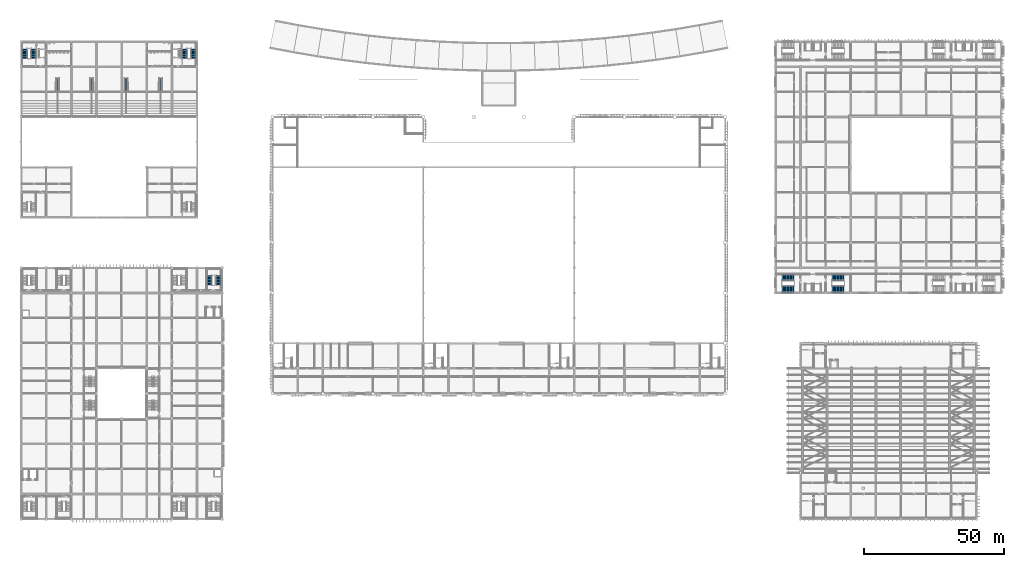
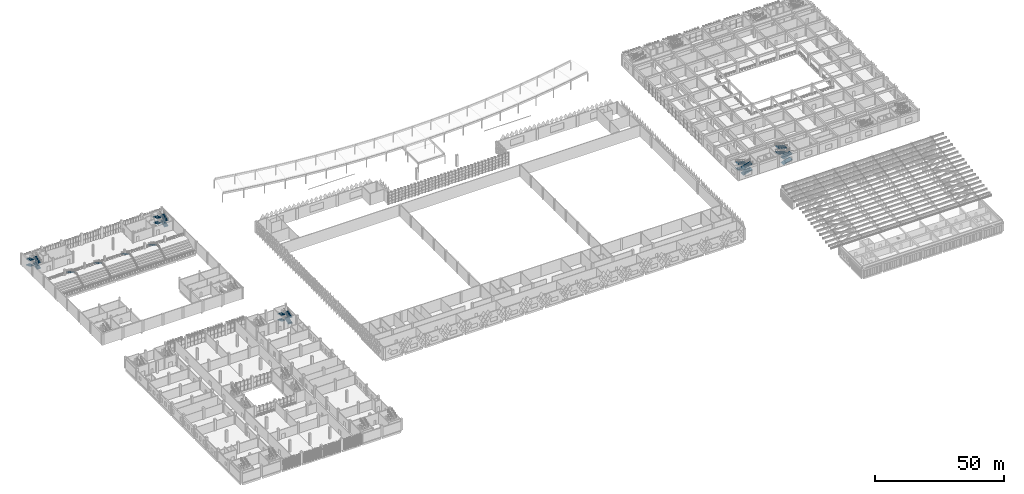
# One storey, part 132 of 185: 24 stair flights, 9 elements without a shape of their own.
"""IFC4 building model written with IfcOpenShell, lengths in metres."""

from ifc_helpers import new_model, si_unit, direction, frame, origin, place, context, subcontext, project, spatial, polyline, outline, extrude, material, type_object, element, aggregate, save


model = new_model("IFC4")

# Units and contexts
model_context = context("Model", 3, precision=1e-05, world=origin(), true_north=direction((0.0, 1.0)))
body_context = subcontext(model_context, "Body", "Model", "MODEL_VIEW")
ifc_project = project(units=[si_unit("LENGTHUNIT", "METRE"), si_unit("AREAUNIT", "SQUARE_METRE"), si_unit("VOLUMEUNIT", "CUBIC_METRE"), si_unit("PLANEANGLEUNIT", "RADIAN"), si_unit("MASSUNIT", "GRAM", prefix="KILO")], contexts=[model_context])

# Site, building, storey
site_placement = place(None, origin())
site = spatial("IfcSite", under=ifc_project, at=site_placement, CompositionType="ELEMENT")
building_placement = place(site_placement, origin())
building = spatial("IfcBuilding", under=site, at=building_placement, Name="Opaline Strait Convention Centre", CompositionType="ELEMENT")
storey_placement = place(building_placement, frame((0.0, 0.0, 6.0)))
storey = spatial("IfcBuildingStorey", under=building, at=storey_placement, Name="L01", CompositionType="ELEMENT", Elevation=6.0)

# Stair, stair flights
ifc_material = material(Name="Concrete C40", Category="concrete")
stair_type_1 = type_object("IfcStairType", Name="Core stair half turn 2400", PredefinedType="HALF_TURN_STAIR", material=ifc_material)
stair_1_placement = place(storey_placement, origin())
stair_1 = element("IfcStair", 1, at=stair_1_placement, inside=storey, type_object=stair_type_1, Name="L01 NW core stair", ObjectType="PST2", PredefinedType="HALF_TURN_STAIR")
stair_flight_type_1 = type_object("IfcStairFlightType", Name="Core stair flight 2400 precast", PredefinedType="STRAIGHT", material=ifc_material)
stair_flight_1_placement = place(storey_placement, frame((13.449951171875, 173.949951171875, 0.0), z_axis=(0.0, 0.0, 1.0), x_axis=(0.0, 1.0, 0.0)))
stair_flight_1 = element("IfcStairFlight", 2, at=stair_flight_1_placement, type_object=stair_flight_type_1, Name="PSR3 flight 1", ObjectType="PSF2", NumberOfRisers=9, NumberOfTreads=8, PredefinedType="STRAIGHT", RiserHeight=0.152777778, TreadLength=0.42, context=body_context, shape_type="SweptSolid", body=[
    extrude(outline(polyline([(0.0, 0.0), (0.0, 0.15283203125), (0.419921875, 0.15283203125), (0.419921875, 0.3056640625), (0.840087890625, 0.3056640625), (0.840087890625, 0.458251953125), (1.260009765625, 0.458251953125), (1.260009765625, 0.611083984375), (1.679931640625, 0.611083984375), (1.679931640625, 0.763916015625), (2.10009765625, 0.763916015625), (2.10009765625, 0.916748046875), (2.52001953125, 0.916748046875), (2.52001953125, 1.0693359375), (2.93994140625, 1.0693359375), (2.93994140625, 1.22216796875), (3.360107421875, 1.22216796875), (3.360107421875, 1.375), (3.360107421875, 1.062744140625), (0.4384765625, 0.0), (0.0, 0.0)])), frame((0.0, 0.89990234375, 0.0), z_axis=(0.0, -1.0, 0.0), x_axis=(1.0, 0.0, 0.0)), (0.0, 0.0, 1.0), 1.800048828125),
])
stair_flight_2_placement = place(storey_placement, frame((10.300048828125, 177.31005859375, 1.375), z_axis=(0.0, 0.0, 1.0), x_axis=(0.0, -1.0, 0.0)))
stair_flight_2 = element("IfcStairFlight", 3, at=stair_flight_2_placement, type_object=stair_flight_type_1, Name="PSR3 flight 2", ObjectType="PSF2", NumberOfRisers=9, NumberOfTreads=8, PredefinedType="STRAIGHT", RiserHeight=0.152777778, TreadLength=0.42, context=body_context, shape_type="SweptSolid", body=[
    extrude(outline(polyline([(0.0, 0.0), (0.0, 0.15283203125), (0.419921875, 0.15283203125), (0.419921875, 0.3056640625), (0.840087890625, 0.3056640625), (0.840087890625, 0.458251953125), (1.260009765625, 0.458251953125), (1.260009765625, 0.611083984375), (1.679931640625, 0.611083984375), (1.679931640625, 0.763916015625), (2.10009765625, 0.763916015625), (2.10009765625, 0.916748046875), (2.52001953125, 0.916748046875), (2.52001953125, 1.0693359375), (2.93994140625, 1.0693359375), (2.93994140625, 1.22216796875), (3.360107421875, 1.22216796875), (3.360107421875, 1.375), (3.360107421875, 1.062744140625), (0.4384765625, 0.0), (0.0, 0.0)])), frame((0.0, 0.89990234375, 0.0), z_axis=(0.0, -1.0, 0.0), x_axis=(1.0, 0.0, 0.0)), (0.0, 0.0, 1.0), 1.800048828125),
])
stair_flight_3_placement = place(storey_placement, frame((13.449951171875, 173.949951171875, 2.75), z_axis=(0.0, 0.0, 1.0), x_axis=(0.0, 1.0, 0.0)))
stair_flight_3 = element("IfcStairFlight", 4, at=stair_flight_3_placement, type_object=stair_flight_type_1, Name="PSR3 flight 3", ObjectType="PSF2", NumberOfRisers=9, NumberOfTreads=8, PredefinedType="STRAIGHT", RiserHeight=0.152777778, TreadLength=0.42, context=body_context, shape_type="SweptSolid", body=[
    extrude(outline(polyline([(0.0, 0.0), (0.0, 0.15283203125), (0.419921875, 0.15283203125), (0.419921875, 0.3056640625), (0.840087890625, 0.3056640625), (0.840087890625, 0.458251953125), (1.260009765625, 0.458251953125), (1.260009765625, 0.611083984375), (1.679931640625, 0.611083984375), (1.679931640625, 0.763916015625), (2.10009765625, 0.763916015625), (2.10009765625, 0.916748046875), (2.52001953125, 0.916748046875), (2.52001953125, 1.0693359375), (2.93994140625, 1.0693359375), (2.93994140625, 1.22216796875), (3.360107421875, 1.22216796875), (3.360107421875, 1.375), (3.360107421875, 1.062744140625), (0.4384765625, 0.0), (0.0, 0.0)])), frame((0.0, 0.89990234375, 0.0), z_axis=(0.0, -1.0, 0.0), x_axis=(1.0, 0.0, 0.0)), (0.0, 0.0, 1.0), 1.800048828125),
])
stair_flight_4_placement = place(storey_placement, frame((10.300048828125, 177.31005859375, 4.125), z_axis=(0.0, 0.0, 1.0), x_axis=(0.0, -1.0, 0.0)))
stair_flight_4 = element("IfcStairFlight", 5, at=stair_flight_4_placement, type_object=stair_flight_type_1, Name="PSR3 flight 4", ObjectType="PSF2", NumberOfRisers=9, NumberOfTreads=8, PredefinedType="STRAIGHT", RiserHeight=0.152777778, TreadLength=0.42, context=body_context, shape_type="SweptSolid", body=[
    extrude(outline(polyline([(0.0, 0.0), (0.0, 0.15283203125), (0.419921875, 0.15283203125), (0.419921875, 0.3056640625), (0.840087890625, 0.3056640625), (0.840087890625, 0.458251953125), (1.260009765625, 0.458251953125), (1.260009765625, 0.611083984375), (1.679931640625, 0.611083984375), (1.679931640625, 0.763916015625), (2.10009765625, 0.763916015625), (2.10009765625, 0.916748046875), (2.52001953125, 0.916748046875), (2.52001953125, 1.0693359375), (2.93994140625, 1.0693359375), (2.93994140625, 1.22216796875), (3.360107421875, 1.22216796875), (3.360107421875, 1.375), (3.360107421875, 1.062744140625), (0.4384765625, 0.0), (0.0, 0.0)])), frame((0.0, 0.89990234375, 0.0), z_axis=(0.0, -1.0, 0.0), x_axis=(1.0, 0.0, 0.0)), (0.0, 0.0, 1.0), 1.800048828125),
])
aggregate(stair_1, [stair_flight_1, stair_flight_2, stair_flight_3, stair_flight_4])

stair_2_placement = place(storey_placement, origin())
stair_2 = element("IfcStair", 6, at=stair_2_placement, inside=storey, type_object=stair_type_1, Name="L01 NE core stair", ObjectType="PST2", PredefinedType="HALF_TURN_STAIR")
stair_flight_5_placement = place(storey_placement, frame((70.699951171875, 173.949951171875, 0.0), z_axis=(0.0, 0.0, 1.0), x_axis=(0.0, 1.0, 0.0)))
stair_flight_5 = element("IfcStairFlight", 7, at=stair_flight_5_placement, type_object=stair_flight_type_1, Name="PSR4 flight 1", ObjectType="PSF2", NumberOfRisers=9, NumberOfTreads=8, PredefinedType="STRAIGHT", RiserHeight=0.152777778, TreadLength=0.42, context=body_context, shape_type="SweptSolid", body=[
    extrude(outline(polyline([(0.0, 0.0), (0.0, 0.15283203125), (0.419921875, 0.15283203125), (0.419921875, 0.3056640625), (0.840087890625, 0.3056640625), (0.840087890625, 0.458251953125), (1.260009765625, 0.458251953125), (1.260009765625, 0.611083984375), (1.679931640625, 0.611083984375), (1.679931640625, 0.763916015625), (2.10009765625, 0.763916015625), (2.10009765625, 0.916748046875), (2.52001953125, 0.916748046875), (2.52001953125, 1.0693359375), (2.93994140625, 1.0693359375), (2.93994140625, 1.22216796875), (3.360107421875, 1.22216796875), (3.360107421875, 1.375), (3.360107421875, 1.062744140625), (0.4384765625, 0.0), (0.0, 0.0)])), frame((0.0, 0.89990234375, 0.0), z_axis=(0.0, -1.0, 0.0), x_axis=(1.0, 0.0, 0.0)), (0.0, 0.0, 1.0), 1.800048828125),
])
stair_flight_6_placement = place(storey_placement, frame((67.550048828125, 177.31005859375, 1.375), z_axis=(0.0, 0.0, 1.0), x_axis=(0.0, -1.0, 0.0)))
stair_flight_6 = element("IfcStairFlight", 8, at=stair_flight_6_placement, type_object=stair_flight_type_1, Name="PSR4 flight 2", ObjectType="PSF2", NumberOfRisers=9, NumberOfTreads=8, PredefinedType="STRAIGHT", RiserHeight=0.152777778, TreadLength=0.42, context=body_context, shape_type="SweptSolid", body=[
    extrude(outline(polyline([(0.0, 0.0), (0.0, 0.15283203125), (0.419921875, 0.15283203125), (0.419921875, 0.3056640625), (0.840087890625, 0.3056640625), (0.840087890625, 0.458251953125), (1.260009765625, 0.458251953125), (1.260009765625, 0.611083984375), (1.679931640625, 0.611083984375), (1.679931640625, 0.763916015625), (2.10009765625, 0.763916015625), (2.10009765625, 0.916748046875), (2.52001953125, 0.916748046875), (2.52001953125, 1.0693359375), (2.93994140625, 1.0693359375), (2.93994140625, 1.22216796875), (3.360107421875, 1.22216796875), (3.360107421875, 1.375), (3.360107421875, 1.062744140625), (0.4384765625, 0.0), (0.0, 0.0)])), frame((0.0, 0.89990234375, 0.0), z_axis=(0.0, -1.0, 0.0), x_axis=(1.0, 0.0, 0.0)), (0.0, 0.0, 1.0), 1.800048828125),
])
stair_flight_7_placement = place(storey_placement, frame((70.699951171875, 173.949951171875, 2.75), z_axis=(0.0, 0.0, 1.0), x_axis=(0.0, 1.0, 0.0)))
stair_flight_7 = element("IfcStairFlight", 9, at=stair_flight_7_placement, type_object=stair_flight_type_1, Name="PSR4 flight 3", ObjectType="PSF2", NumberOfRisers=9, NumberOfTreads=8, PredefinedType="STRAIGHT", RiserHeight=0.152777778, TreadLength=0.42, context=body_context, shape_type="SweptSolid", body=[
    extrude(outline(polyline([(0.0, 0.0), (0.0, 0.15283203125), (0.419921875, 0.15283203125), (0.419921875, 0.3056640625), (0.840087890625, 0.3056640625), (0.840087890625, 0.458251953125), (1.260009765625, 0.458251953125), (1.260009765625, 0.611083984375), (1.679931640625, 0.611083984375), (1.679931640625, 0.763916015625), (2.10009765625, 0.763916015625), (2.10009765625, 0.916748046875), (2.52001953125, 0.916748046875), (2.52001953125, 1.0693359375), (2.93994140625, 1.0693359375), (2.93994140625, 1.22216796875), (3.360107421875, 1.22216796875), (3.360107421875, 1.375), (3.360107421875, 1.062744140625), (0.4384765625, 0.0), (0.0, 0.0)])), frame((0.0, 0.89990234375, 0.0), z_axis=(0.0, -1.0, 0.0), x_axis=(1.0, 0.0, 0.0)), (0.0, 0.0, 1.0), 1.800048828125),
])
stair_flight_8_placement = place(storey_placement, frame((67.550048828125, 177.31005859375, 4.125), z_axis=(0.0, 0.0, 1.0), x_axis=(0.0, -1.0, 0.0)))
stair_flight_8 = element("IfcStairFlight", 10, at=stair_flight_8_placement, type_object=stair_flight_type_1, Name="PSR4 flight 4", ObjectType="PSF2", NumberOfRisers=9, NumberOfTreads=8, PredefinedType="STRAIGHT", RiserHeight=0.152777778, TreadLength=0.42, context=body_context, shape_type="SweptSolid", body=[
    extrude(outline(polyline([(0.0, 0.0), (0.0, 0.15283203125), (0.419921875, 0.15283203125), (0.419921875, 0.3056640625), (0.840087890625, 0.3056640625), (0.840087890625, 0.458251953125), (1.260009765625, 0.458251953125), (1.260009765625, 0.611083984375), (1.679931640625, 0.611083984375), (1.679931640625, 0.763916015625), (2.10009765625, 0.763916015625), (2.10009765625, 0.916748046875), (2.52001953125, 0.916748046875), (2.52001953125, 1.0693359375), (2.93994140625, 1.0693359375), (2.93994140625, 1.22216796875), (3.360107421875, 1.22216796875), (3.360107421875, 1.375), (3.360107421875, 1.062744140625), (0.4384765625, 0.0), (0.0, 0.0)])), frame((0.0, 0.89990234375, 0.0), z_axis=(0.0, -1.0, 0.0), x_axis=(1.0, 0.0, 0.0)), (0.0, 0.0, 1.0), 1.800048828125),
])
aggregate(stair_2, [stair_flight_5, stair_flight_6, stair_flight_7, stair_flight_8])

stair_type_2 = type_object("IfcStairType", Name="Exit stair two flights 1800 C40", PredefinedType="HALF_TURN_STAIR", material=ifc_material)
stair_3_placement = place(storey_placement, origin())
stair_3 = element("IfcStair", 11, at=stair_3_placement, inside=storey, type_object=stair_type_2, Name="L01 NEA", ObjectType="RST1", PredefinedType="HALF_TURN_STAIR")
stair_flight_type_2 = type_object("IfcStairFlightType", Name="Stair flight 1800 C40", PredefinedType="STRAIGHT", material=ifc_material)
stair_flight_9_placement = place(storey_placement, frame((79.60009765625, 92.800048828125, 0.0), z_axis=(0.0, 0.0, 1.0), x_axis=(0.0, 1.0, 0.0)))
stair_flight_9 = element("IfcStairFlight", 12, at=stair_flight_9_placement, type_object=stair_flight_type_2, Name="NEA flight 1", ObjectType="RSF1", NumberOfRisers=9, NumberOfTreads=8, PredefinedType="STRAIGHT", RiserHeight=0.152777778, TreadLength=0.42, context=body_context, shape_type="SweptSolid", body=[
    extrude(outline(polyline([(0.0, 0.0), (0.0, 0.15283203125), (0.419921875, 0.15283203125), (0.419921875, 0.3056640625), (0.840087890625, 0.3056640625), (0.840087890625, 0.458251953125), (1.260009765625, 0.458251953125), (1.260009765625, 0.611083984375), (1.679931640625, 0.611083984375), (1.679931640625, 0.763916015625), (2.10009765625, 0.763916015625), (2.10009765625, 0.916748046875), (2.52001953125, 0.916748046875), (2.52001953125, 1.0693359375), (2.93994140625, 1.0693359375), (2.93994140625, 1.22216796875), (3.360107421875, 1.22216796875), (3.360107421875, 1.375), (3.360107421875, 1.062744140625), (0.4384765625, 0.0), (0.0, 0.0)])), frame((0.0, 0.89990234375, 0.0), z_axis=(0.0, -1.0, 0.0), x_axis=(1.0, 0.0, 0.0)), (0.0, 0.0, 1.0), 1.800048828125),
])
stair_flight_10_placement = place(storey_placement, frame((76.449951171875, 96.159912109375, 1.375), z_axis=(0.0, 0.0, 1.0), x_axis=(0.0, -1.0, 0.0)))
stair_flight_10 = element("IfcStairFlight", 13, at=stair_flight_10_placement, type_object=stair_flight_type_2, Name="NEA flight 2", ObjectType="RSF1", NumberOfRisers=9, NumberOfTreads=8, PredefinedType="STRAIGHT", RiserHeight=0.152777778, TreadLength=0.42, context=body_context, shape_type="SweptSolid", body=[
    extrude(outline(polyline([(0.0, 0.0), (0.0, 0.15283203125), (0.419921875, 0.15283203125), (0.419921875, 0.3056640625), (0.840087890625, 0.3056640625), (0.840087890625, 0.458251953125), (1.260009765625, 0.458251953125), (1.260009765625, 0.611083984375), (1.679931640625, 0.611083984375), (1.679931640625, 0.763916015625), (2.10009765625, 0.763916015625), (2.10009765625, 0.916748046875), (2.52001953125, 0.916748046875), (2.52001953125, 1.0693359375), (2.93994140625, 1.0693359375), (2.93994140625, 1.22216796875), (3.360107421875, 1.22216796875), (3.360107421875, 1.375), (3.360107421875, 1.062744140625), (0.4384765625, 0.0), (0.0, 0.0)])), frame((0.0, 0.89990234375, 0.0), z_axis=(0.0, -1.0, 0.0), x_axis=(1.0, 0.0, 0.0)), (0.0, 0.0, 1.0), 1.800048828125),
])
stair_flight_11_placement = place(storey_placement, frame((79.60009765625, 92.800048828125, 2.75), z_axis=(0.0, 0.0, 1.0), x_axis=(0.0, 1.0, 0.0)))
stair_flight_11 = element("IfcStairFlight", 14, at=stair_flight_11_placement, type_object=stair_flight_type_2, Name="NEA flight 3", ObjectType="RSF1", NumberOfRisers=9, NumberOfTreads=8, PredefinedType="STRAIGHT", RiserHeight=0.152777778, TreadLength=0.42, context=body_context, shape_type="SweptSolid", body=[
    extrude(outline(polyline([(0.0, 0.0), (0.0, 0.15283203125), (0.419921875, 0.15283203125), (0.419921875, 0.3056640625), (0.840087890625, 0.3056640625), (0.840087890625, 0.458251953125), (1.260009765625, 0.458251953125), (1.260009765625, 0.611083984375), (1.679931640625, 0.611083984375), (1.679931640625, 0.763916015625), (2.10009765625, 0.763916015625), (2.10009765625, 0.916748046875), (2.52001953125, 0.916748046875), (2.52001953125, 1.0693359375), (2.93994140625, 1.0693359375), (2.93994140625, 1.22216796875), (3.360107421875, 1.22216796875), (3.360107421875, 1.375), (3.360107421875, 1.062744140625), (0.4384765625, 0.0), (0.0, 0.0)])), frame((0.0, 0.89990234375, 0.0), z_axis=(0.0, -1.0, 0.0), x_axis=(1.0, 0.0, 0.0)), (0.0, 0.0, 1.0), 1.800048828125),
])
stair_flight_12_placement = place(storey_placement, frame((76.449951171875, 96.159912109375, 4.125), z_axis=(0.0, 0.0, 1.0), x_axis=(0.0, -1.0, 0.0)))
stair_flight_12 = element("IfcStairFlight", 15, at=stair_flight_12_placement, type_object=stair_flight_type_2, Name="NEA flight 4", ObjectType="RSF1", NumberOfRisers=9, NumberOfTreads=8, PredefinedType="STRAIGHT", RiserHeight=0.152777778, TreadLength=0.42, context=body_context, shape_type="SweptSolid", body=[
    extrude(outline(polyline([(0.0, 0.0), (0.0, 0.15283203125), (0.419921875, 0.15283203125), (0.419921875, 0.3056640625), (0.840087890625, 0.3056640625), (0.840087890625, 0.458251953125), (1.260009765625, 0.458251953125), (1.260009765625, 0.611083984375), (1.679931640625, 0.611083984375), (1.679931640625, 0.763916015625), (2.10009765625, 0.763916015625), (2.10009765625, 0.916748046875), (2.52001953125, 0.916748046875), (2.52001953125, 1.0693359375), (2.93994140625, 1.0693359375), (2.93994140625, 1.22216796875), (3.360107421875, 1.22216796875), (3.360107421875, 1.375), (3.360107421875, 1.062744140625), (0.4384765625, 0.0), (0.0, 0.0)])), frame((0.0, 0.89990234375, 0.0), z_axis=(0.0, -1.0, 0.0), x_axis=(1.0, 0.0, 0.0)), (0.0, 0.0, 1.0), 1.800048828125),
])
aggregate(stair_3, [stair_flight_9, stair_flight_10, stair_flight_11, stair_flight_12])

stair_type_3 = type_object("IfcStairType", Name="Escape stair half-turn 2200 concrete C40", PredefinedType="HALF_TURN_STAIR", material=ifc_material)
stair_4_placement = place(storey_placement, origin())
stair_4 = element("IfcStair", 16, at=stair_4_placement, inside=storey, type_object=stair_type_3, Name="L01 Stair S1-MTG", ObjectType="MST1", PredefinedType="HALF_TURN_STAIR")
stair_flight_type_3 = type_object("IfcStairFlightType", Name="Stair flight 2200 concrete C40", PredefinedType="STRAIGHT", material=ifc_material)
stair_flight_13_placement = place(storey_placement, frame((285.650146484375, 95.5, 0.0), z_axis=(0.0, 0.0, 1.0), x_axis=(-1.0, 0.0, 0.0)))
stair_flight_13 = element("IfcStairFlight", 17, at=stair_flight_13_placement, type_object=stair_flight_type_3, Name="S1 flight 1", ObjectType="MSF2", NumberOfRisers=11, NumberOfTreads=10, PredefinedType="STRAIGHT", RiserHeight=0.125, TreadLength=0.42, context=body_context, shape_type="SweptSolid", body=[
    extrude(outline(polyline([(0.0, 0.0), (0.0, 0.125), (0.419921875, 0.125), (0.419921875, 0.25), (0.840087890625, 0.25), (0.840087890625, 0.375), (1.260009765625, 0.375), (1.260009765625, 0.5), (1.679931640625, 0.5), (1.679931640625, 0.625), (2.10009765625, 0.625), (2.10009765625, 0.75), (2.52001953125, 0.75), (2.52001953125, 0.875), (2.93994140625, 0.875), (2.93994140625, 1.0), (3.360107421875, 1.0), (3.360107421875, 1.125), (3.780029296875, 1.125), (3.780029296875, 1.25), (4.199951171875, 1.25), (4.199951171875, 1.375), (4.199951171875, 1.093505859375), (0.525390625, 0.0), (0.0, 0.0)])), frame((0.0, 1.10009765625, 0.0), z_axis=(0.0, -1.0, 0.0), x_axis=(1.0, 0.0, 0.0)), (0.0, 0.0, 1.0), 2.199951171875),
])
stair_flight_14_placement = place(storey_placement, frame((281.4501953125, 91.300048828125, 1.375), z_axis=(0.0, 0.0, 1.0), x_axis=(1.0, 0.0, 0.0)))
stair_flight_14 = element("IfcStairFlight", 18, at=stair_flight_14_placement, type_object=stair_flight_type_3, Name="S1 flight 2", ObjectType="MSF2", NumberOfRisers=11, NumberOfTreads=10, PredefinedType="STRAIGHT", RiserHeight=0.125, TreadLength=0.42, context=body_context, shape_type="SweptSolid", body=[
    extrude(outline(polyline([(0.0, 0.0), (0.0, 0.125), (0.419921875, 0.125), (0.419921875, 0.25), (0.840087890625, 0.25), (0.840087890625, 0.375), (1.260009765625, 0.375), (1.260009765625, 0.5), (1.679931640625, 0.5), (1.679931640625, 0.625), (2.10009765625, 0.625), (2.10009765625, 0.75), (2.52001953125, 0.75), (2.52001953125, 0.875), (2.93994140625, 0.875), (2.93994140625, 1.0), (3.360107421875, 1.0), (3.360107421875, 1.125), (3.780029296875, 1.125), (3.780029296875, 1.25), (4.199951171875, 1.25), (4.199951171875, 1.375), (4.199951171875, 1.093505859375), (0.525390625, 0.0), (0.0, 0.0)])), frame((0.0, 1.10009765625, 0.0), z_axis=(0.0, -1.0, 0.0), x_axis=(1.0, 0.0, 0.0)), (0.0, 0.0, 1.0), 2.199951171875),
])
stair_flight_15_placement = place(storey_placement, frame((285.650146484375, 95.5, 2.75), z_axis=(0.0, 0.0, 1.0), x_axis=(-1.0, 0.0, 0.0)))
stair_flight_15 = element("IfcStairFlight", 19, at=stair_flight_15_placement, type_object=stair_flight_type_3, Name="S1 flight 3", ObjectType="MSF2", NumberOfRisers=11, NumberOfTreads=10, PredefinedType="STRAIGHT", RiserHeight=0.125, TreadLength=0.42, context=body_context, shape_type="SweptSolid", body=[
    extrude(outline(polyline([(0.0, 0.0), (0.0, 0.125), (0.419921875, 0.125), (0.419921875, 0.25), (0.840087890625, 0.25), (0.840087890625, 0.375), (1.260009765625, 0.375), (1.260009765625, 0.5), (1.679931640625, 0.5), (1.679931640625, 0.625), (2.10009765625, 0.625), (2.10009765625, 0.75), (2.52001953125, 0.75), (2.52001953125, 0.875), (2.93994140625, 0.875), (2.93994140625, 1.0), (3.360107421875, 1.0), (3.360107421875, 1.125), (3.780029296875, 1.125), (3.780029296875, 1.25), (4.199951171875, 1.25), (4.199951171875, 1.375), (4.199951171875, 1.093505859375), (0.525390625, 0.0), (0.0, 0.0)])), frame((0.0, 1.10009765625, 0.0), z_axis=(0.0, -1.0, 0.0), x_axis=(1.0, 0.0, 0.0)), (0.0, 0.0, 1.0), 2.199951171875),
])
stair_flight_16_placement = place(storey_placement, frame((281.4501953125, 91.300048828125, 4.125), z_axis=(0.0, 0.0, 1.0), x_axis=(1.0, 0.0, 0.0)))
stair_flight_16 = element("IfcStairFlight", 20, at=stair_flight_16_placement, type_object=stair_flight_type_3, Name="S1 flight 4", ObjectType="MSF2", NumberOfRisers=11, NumberOfTreads=10, PredefinedType="STRAIGHT", RiserHeight=0.125, TreadLength=0.42, context=body_context, shape_type="SweptSolid", body=[
    extrude(outline(polyline([(0.0, 0.0), (0.0, 0.125), (0.419921875, 0.125), (0.419921875, 0.25), (0.840087890625, 0.25), (0.840087890625, 0.375), (1.260009765625, 0.375), (1.260009765625, 0.5), (1.679931640625, 0.5), (1.679931640625, 0.625), (2.10009765625, 0.625), (2.10009765625, 0.75), (2.52001953125, 0.75), (2.52001953125, 0.875), (2.93994140625, 0.875), (2.93994140625, 1.0), (3.360107421875, 1.0), (3.360107421875, 1.125), (3.780029296875, 1.125), (3.780029296875, 1.25), (4.199951171875, 1.25), (4.199951171875, 1.375), (4.199951171875, 1.093505859375), (0.525390625, 0.0), (0.0, 0.0)])), frame((0.0, 1.10009765625, 0.0), z_axis=(0.0, -1.0, 0.0), x_axis=(1.0, 0.0, 0.0)), (0.0, 0.0, 1.0), 2.199951171875),
])
aggregate(stair_4, [stair_flight_13, stair_flight_14, stair_flight_15, stair_flight_16])

stair_5_placement = place(storey_placement, origin())
stair_5 = element("IfcStair", 21, at=stair_5_placement, inside=storey, type_object=stair_type_3, Name="L01 Stair S2-MTG", ObjectType="MST1", PredefinedType="HALF_TURN_STAIR")
stair_flight_17_placement = place(storey_placement, frame((299.349853515625, 91.300048828125, 0.0), z_axis=(0.0, 0.0, 1.0), x_axis=(1.0, 0.0, 0.0)))
stair_flight_17 = element("IfcStairFlight", 22, at=stair_flight_17_placement, type_object=stair_flight_type_3, Name="S2 flight 1", ObjectType="MSF2", NumberOfRisers=11, NumberOfTreads=10, PredefinedType="STRAIGHT", RiserHeight=0.125, TreadLength=0.42, context=body_context, shape_type="SweptSolid", body=[
    extrude(outline(polyline([(0.0, 0.0), (0.0, 0.125), (0.419921875, 0.125), (0.419921875, 0.25), (0.840087890625, 0.25), (0.840087890625, 0.375), (1.260009765625, 0.375), (1.260009765625, 0.5), (1.679931640625, 0.5), (1.679931640625, 0.625), (2.10009765625, 0.625), (2.10009765625, 0.75), (2.52001953125, 0.75), (2.52001953125, 0.875), (2.93994140625, 0.875), (2.93994140625, 1.0), (3.360107421875, 1.0), (3.360107421875, 1.125), (3.780029296875, 1.125), (3.780029296875, 1.25), (4.199951171875, 1.25), (4.199951171875, 1.375), (4.199951171875, 1.093505859375), (0.525390625, 0.0), (0.0, 0.0)])), frame((0.0, 1.10009765625, 0.0), z_axis=(0.0, -1.0, 0.0), x_axis=(1.0, 0.0, 0.0)), (0.0, 0.0, 1.0), 2.199951171875),
])
stair_flight_18_placement = place(storey_placement, frame((303.5498046875, 95.5, 1.375), z_axis=(0.0, 0.0, 1.0), x_axis=(-1.0, 0.0, 0.0)))
stair_flight_18 = element("IfcStairFlight", 23, at=stair_flight_18_placement, type_object=stair_flight_type_3, Name="S2 flight 2", ObjectType="MSF2", NumberOfRisers=11, NumberOfTreads=10, PredefinedType="STRAIGHT", RiserHeight=0.125, TreadLength=0.42, context=body_context, shape_type="SweptSolid", body=[
    extrude(outline(polyline([(0.0, 0.0), (0.0, 0.125), (0.419921875, 0.125), (0.419921875, 0.25), (0.840087890625, 0.25), (0.840087890625, 0.375), (1.260009765625, 0.375), (1.260009765625, 0.5), (1.679931640625, 0.5), (1.679931640625, 0.625), (2.10009765625, 0.625), (2.10009765625, 0.75), (2.52001953125, 0.75), (2.52001953125, 0.875), (2.93994140625, 0.875), (2.93994140625, 1.0), (3.360107421875, 1.0), (3.360107421875, 1.125), (3.780029296875, 1.125), (3.780029296875, 1.25), (4.199951171875, 1.25), (4.199951171875, 1.375), (4.199951171875, 1.093505859375), (0.525390625, 0.0), (0.0, 0.0)])), frame((0.0, 1.10009765625, 0.0), z_axis=(0.0, -1.0, 0.0), x_axis=(1.0, 0.0, 0.0)), (0.0, 0.0, 1.0), 2.199951171875),
])
stair_flight_19_placement = place(storey_placement, frame((299.349853515625, 91.300048828125, 2.75), z_axis=(0.0, 0.0, 1.0), x_axis=(1.0, 0.0, 0.0)))
stair_flight_19 = element("IfcStairFlight", 24, at=stair_flight_19_placement, type_object=stair_flight_type_3, Name="S2 flight 3", ObjectType="MSF2", NumberOfRisers=11, NumberOfTreads=10, PredefinedType="STRAIGHT", RiserHeight=0.125, TreadLength=0.42, context=body_context, shape_type="SweptSolid", body=[
    extrude(outline(polyline([(0.0, 0.0), (0.0, 0.125), (0.419921875, 0.125), (0.419921875, 0.25), (0.840087890625, 0.25), (0.840087890625, 0.375), (1.260009765625, 0.375), (1.260009765625, 0.5), (1.679931640625, 0.5), (1.679931640625, 0.625), (2.10009765625, 0.625), (2.10009765625, 0.75), (2.52001953125, 0.75), (2.52001953125, 0.875), (2.93994140625, 0.875), (2.93994140625, 1.0), (3.360107421875, 1.0), (3.360107421875, 1.125), (3.780029296875, 1.125), (3.780029296875, 1.25), (4.199951171875, 1.25), (4.199951171875, 1.375), (4.199951171875, 1.093505859375), (0.525390625, 0.0), (0.0, 0.0)])), frame((0.0, 1.10009765625, 0.0), z_axis=(0.0, -1.0, 0.0), x_axis=(1.0, 0.0, 0.0)), (0.0, 0.0, 1.0), 2.199951171875),
])
stair_flight_20_placement = place(storey_placement, frame((303.5498046875, 95.5, 4.125), z_axis=(0.0, 0.0, 1.0), x_axis=(-1.0, 0.0, 0.0)))
stair_flight_20 = element("IfcStairFlight", 25, at=stair_flight_20_placement, type_object=stair_flight_type_3, Name="S2 flight 4", ObjectType="MSF2", NumberOfRisers=11, NumberOfTreads=10, PredefinedType="STRAIGHT", RiserHeight=0.125, TreadLength=0.42, context=body_context, shape_type="SweptSolid", body=[
    extrude(outline(polyline([(0.0, 0.0), (0.0, 0.125), (0.419921875, 0.125), (0.419921875, 0.25), (0.840087890625, 0.25), (0.840087890625, 0.375), (1.260009765625, 0.375), (1.260009765625, 0.5), (1.679931640625, 0.5), (1.679931640625, 0.625), (2.10009765625, 0.625), (2.10009765625, 0.75), (2.52001953125, 0.75), (2.52001953125, 0.875), (2.93994140625, 0.875), (2.93994140625, 1.0), (3.360107421875, 1.0), (3.360107421875, 1.125), (3.780029296875, 1.125), (3.780029296875, 1.25), (4.199951171875, 1.25), (4.199951171875, 1.375), (4.199951171875, 1.093505859375), (0.525390625, 0.0), (0.0, 0.0)])), frame((0.0, 1.10009765625, 0.0), z_axis=(0.0, -1.0, 0.0), x_axis=(1.0, 0.0, 0.0)), (0.0, 0.0, 1.0), 2.199951171875),
])
aggregate(stair_5, [stair_flight_17, stair_flight_18, stair_flight_19, stair_flight_20])

# Stair, stair flight
stair_type_4 = type_object("IfcStairType", Name="Tier entry stair 1200", PredefinedType="STRAIGHT_RUN_STAIR", material=ifc_material)
stair_6_placement = place(storey_placement, origin())
stair_6 = element("IfcStair", 26, at=stair_6_placement, inside=storey, type_object=stair_type_4, Name="Circle entry stair 1", ObjectType="PST1", PredefinedType="STRAIGHT_RUN_STAIR")
stair_flight_type_4 = type_object("IfcStairFlightType", Name="Tier entry stair flight 1200 precast", PredefinedType="STRAIGHT", material=ifc_material)
stair_flight_21_placement = place(storey_placement, frame((22.050048828125, 166.800048828125, 0.0), z_axis=(0.0, 0.0, 1.0), x_axis=(0.0, -1.0, 0.0)))
stair_flight_21 = element("IfcStairFlight", 27, at=stair_flight_21_placement, type_object=stair_flight_type_4, Name="PSR5 flight 1", ObjectType="PSF1", NumberOfRisers=17, NumberOfTreads=16, PredefinedType="STRAIGHT", RiserHeight=0.163941176, TreadLength=0.3, context=body_context, shape_type="SweptSolid", body=[
    extrude(outline(polyline([(0.0, 0.0), (0.0, 0.1640625), (0.300048828125, 0.1640625), (0.300048828125, 0.327880859375), (0.60009765625, 0.327880859375), (0.60009765625, 0.491943359375), (0.89990234375, 0.491943359375), (0.89990234375, 0.65576171875), (1.199951171875, 0.65576171875), (1.199951171875, 0.81982421875), (1.5, 0.81982421875), (1.5, 0.983642578125), (1.800048828125, 0.983642578125), (1.800048828125, 1.147705078125), (2.10009765625, 1.147705078125), (2.10009765625, 1.3115234375), (2.39990234375, 1.3115234375), (2.39990234375, 1.4755859375), (2.699951171875, 1.4755859375), (2.699951171875, 1.639404296875), (3.0, 1.639404296875), (3.0, 1.803466796875), (3.300048828125, 1.803466796875), (3.300048828125, 1.96728515625), (3.60009765625, 1.96728515625), (3.60009765625, 2.13134765625), (3.89990234375, 2.13134765625), (3.89990234375, 2.295166015625), (4.199951171875, 2.295166015625), (4.199951171875, 2.459228515625), (4.5, 2.459228515625), (4.5, 2.623046875), (4.800048828125, 2.623046875), (4.800048828125, 2.787109375), (4.800048828125, 2.4521484375), (0.3125, 0.0), (0.0, 0.0)])), frame((0.0, 0.60009765625, 0.0), z_axis=(0.0, -1.0, 0.0), x_axis=(1.0, 0.0, 0.0)), (0.0, 0.0, 1.0), 1.199951171875),
])
aggregate(stair_6, [stair_flight_21])

stair_7_placement = place(storey_placement, origin())
stair_7 = element("IfcStair", 28, at=stair_7_placement, inside=storey, type_object=stair_type_4, Name="Circle entry stair 2", ObjectType="PST1", PredefinedType="STRAIGHT_RUN_STAIR")
stair_flight_22_placement = place(storey_placement, frame((34.35009765625, 166.800048828125, 0.0), z_axis=(0.0, 0.0, 1.0), x_axis=(0.0, -1.0, 0.0)))
stair_flight_22 = element("IfcStairFlight", 29, at=stair_flight_22_placement, type_object=stair_flight_type_4, Name="PSR6 flight 1", ObjectType="PSF1", NumberOfRisers=17, NumberOfTreads=16, PredefinedType="STRAIGHT", RiserHeight=0.163941176, TreadLength=0.3, context=body_context, shape_type="SweptSolid", body=[
    extrude(outline(polyline([(0.0, 0.0), (0.0, 0.1640625), (0.300048828125, 0.1640625), (0.300048828125, 0.327880859375), (0.60009765625, 0.327880859375), (0.60009765625, 0.491943359375), (0.89990234375, 0.491943359375), (0.89990234375, 0.65576171875), (1.199951171875, 0.65576171875), (1.199951171875, 0.81982421875), (1.5, 0.81982421875), (1.5, 0.983642578125), (1.800048828125, 0.983642578125), (1.800048828125, 1.147705078125), (2.10009765625, 1.147705078125), (2.10009765625, 1.3115234375), (2.39990234375, 1.3115234375), (2.39990234375, 1.4755859375), (2.699951171875, 1.4755859375), (2.699951171875, 1.639404296875), (3.0, 1.639404296875), (3.0, 1.803466796875), (3.300048828125, 1.803466796875), (3.300048828125, 1.96728515625), (3.60009765625, 1.96728515625), (3.60009765625, 2.13134765625), (3.89990234375, 2.13134765625), (3.89990234375, 2.295166015625), (4.199951171875, 2.295166015625), (4.199951171875, 2.459228515625), (4.5, 2.459228515625), (4.5, 2.623046875), (4.800048828125, 2.623046875), (4.800048828125, 2.787109375), (4.800048828125, 2.4521484375), (0.3125, 0.0), (0.0, 0.0)])), frame((0.0, 0.60009765625, 0.0), z_axis=(0.0, -1.0, 0.0), x_axis=(1.0, 0.0, 0.0)), (0.0, 0.0, 1.0), 1.199951171875),
])
aggregate(stair_7, [stair_flight_22])

stair_8_placement = place(storey_placement, origin())
stair_8 = element("IfcStair", 30, at=stair_8_placement, inside=storey, type_object=stair_type_4, Name="Circle entry stair 3", ObjectType="PST1", PredefinedType="STRAIGHT_RUN_STAIR")
stair_flight_23_placement = place(storey_placement, frame((46.64990234375, 166.800048828125, 0.0), z_axis=(0.0, 0.0, 1.0), x_axis=(0.0, -1.0, 0.0)))
stair_flight_23 = element("IfcStairFlight", 31, at=stair_flight_23_placement, type_object=stair_flight_type_4, Name="PSR7 flight 1", ObjectType="PSF1", NumberOfRisers=17, NumberOfTreads=16, PredefinedType="STRAIGHT", RiserHeight=0.163941176, TreadLength=0.3, context=body_context, shape_type="SweptSolid", body=[
    extrude(outline(polyline([(0.0, 0.0), (0.0, 0.1640625), (0.300048828125, 0.1640625), (0.300048828125, 0.327880859375), (0.60009765625, 0.327880859375), (0.60009765625, 0.491943359375), (0.89990234375, 0.491943359375), (0.89990234375, 0.65576171875), (1.199951171875, 0.65576171875), (1.199951171875, 0.81982421875), (1.5, 0.81982421875), (1.5, 0.983642578125), (1.800048828125, 0.983642578125), (1.800048828125, 1.147705078125), (2.10009765625, 1.147705078125), (2.10009765625, 1.3115234375), (2.39990234375, 1.3115234375), (2.39990234375, 1.4755859375), (2.699951171875, 1.4755859375), (2.699951171875, 1.639404296875), (3.0, 1.639404296875), (3.0, 1.803466796875), (3.300048828125, 1.803466796875), (3.300048828125, 1.96728515625), (3.60009765625, 1.96728515625), (3.60009765625, 2.13134765625), (3.89990234375, 2.13134765625), (3.89990234375, 2.295166015625), (4.199951171875, 2.295166015625), (4.199951171875, 2.459228515625), (4.5, 2.459228515625), (4.5, 2.623046875), (4.800048828125, 2.623046875), (4.800048828125, 2.787109375), (4.800048828125, 2.4521484375), (0.3125, 0.0), (0.0, 0.0)])), frame((0.0, 0.60009765625, 0.0), z_axis=(0.0, -1.0, 0.0), x_axis=(1.0, 0.0, 0.0)), (0.0, 0.0, 1.0), 1.199951171875),
])
aggregate(stair_8, [stair_flight_23])

stair_9_placement = place(storey_placement, origin())
stair_9 = element("IfcStair", 32, at=stair_9_placement, inside=storey, type_object=stair_type_4, Name="Circle entry stair 4", ObjectType="PST1", PredefinedType="STRAIGHT_RUN_STAIR")
stair_flight_24_placement = place(storey_placement, frame((58.949951171875, 166.800048828125, 0.0), z_axis=(0.0, 0.0, 1.0), x_axis=(0.0, -1.0, 0.0)))
stair_flight_24 = element("IfcStairFlight", 33, at=stair_flight_24_placement, type_object=stair_flight_type_4, Name="PSR8 flight 1", ObjectType="PSF1", NumberOfRisers=17, NumberOfTreads=16, PredefinedType="STRAIGHT", RiserHeight=0.163941176, TreadLength=0.3, context=body_context, shape_type="SweptSolid", body=[
    extrude(outline(polyline([(0.0, 0.0), (0.0, 0.1640625), (0.300048828125, 0.1640625), (0.300048828125, 0.327880859375), (0.60009765625, 0.327880859375), (0.60009765625, 0.491943359375), (0.89990234375, 0.491943359375), (0.89990234375, 0.65576171875), (1.199951171875, 0.65576171875), (1.199951171875, 0.81982421875), (1.5, 0.81982421875), (1.5, 0.983642578125), (1.800048828125, 0.983642578125), (1.800048828125, 1.147705078125), (2.10009765625, 1.147705078125), (2.10009765625, 1.3115234375), (2.39990234375, 1.3115234375), (2.39990234375, 1.4755859375), (2.699951171875, 1.4755859375), (2.699951171875, 1.639404296875), (3.0, 1.639404296875), (3.0, 1.803466796875), (3.300048828125, 1.803466796875), (3.300048828125, 1.96728515625), (3.60009765625, 1.96728515625), (3.60009765625, 2.13134765625), (3.89990234375, 2.13134765625), (3.89990234375, 2.295166015625), (4.199951171875, 2.295166015625), (4.199951171875, 2.459228515625), (4.5, 2.459228515625), (4.5, 2.623046875), (4.800048828125, 2.623046875), (4.800048828125, 2.787109375), (4.800048828125, 2.4521484375), (0.3125, 0.0), (0.0, 0.0)])), frame((0.0, 0.60009765625, 0.0), z_axis=(0.0, -1.0, 0.0), x_axis=(1.0, 0.0, 0.0)), (0.0, 0.0, 1.0), 1.199951171875),
])
aggregate(stair_9, [stair_flight_24])

save(model, "model.ifc")
